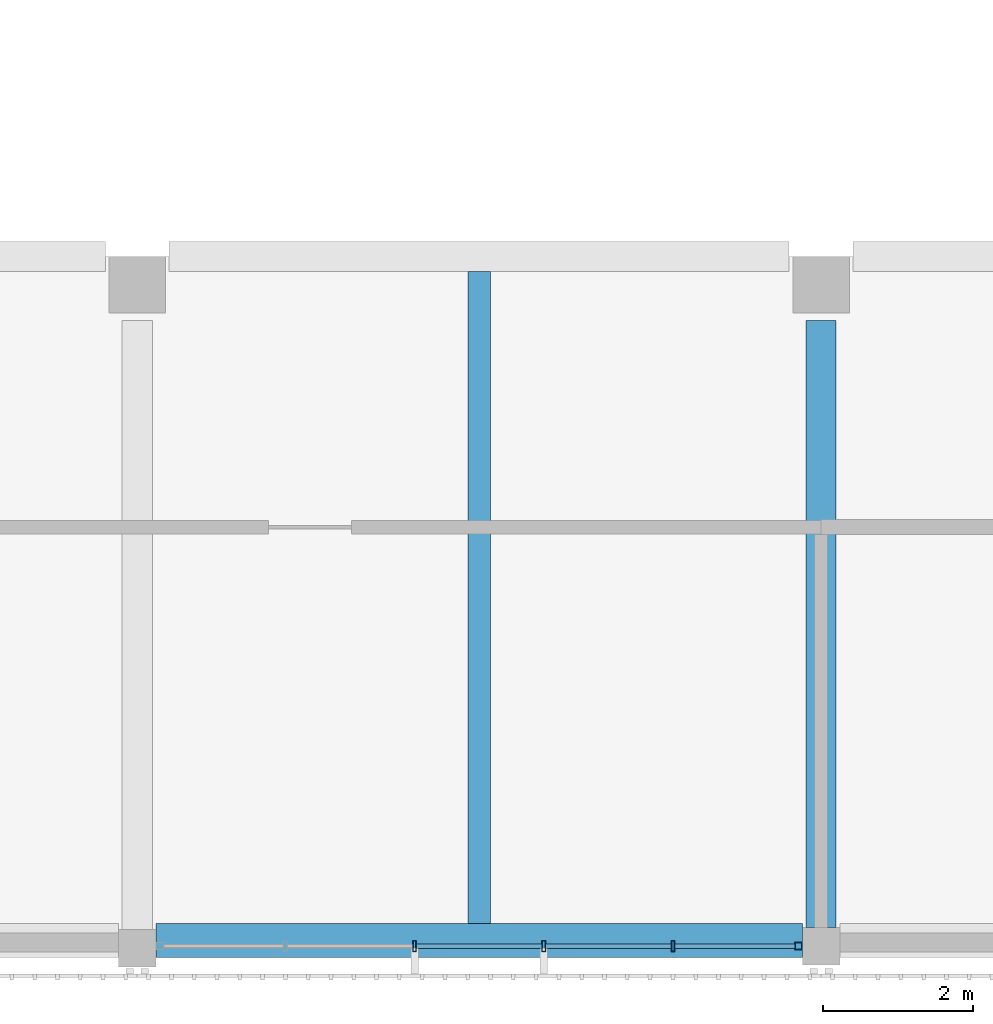
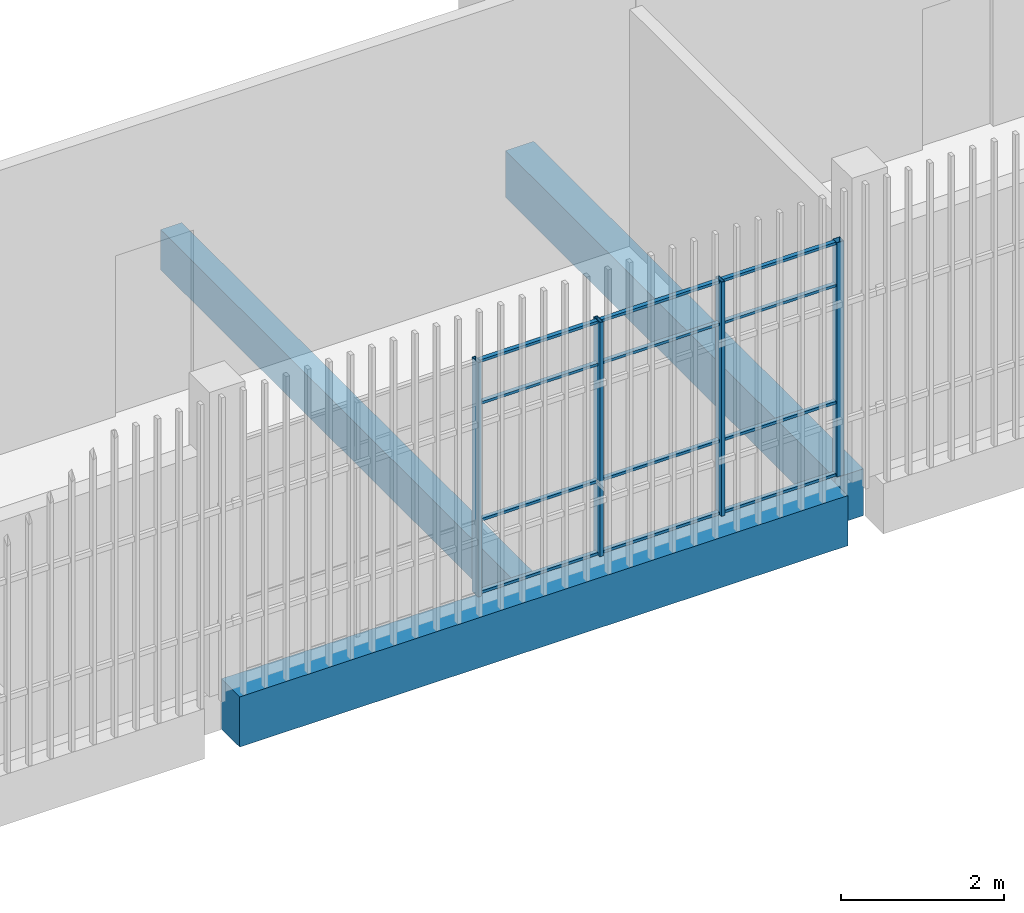
# One storey, part 12 of 124: 16 members, 3 beams, 1 element without a shape of its own.
"""IFC4 building model written with IfcOpenShell, lengths in metres."""

from ifc_helpers import new_model, si_unit, direction, frame, origin, origin_2d, place, context, subcontext, project, spatial, rectangle, hollow_rectangle, extrude, material, layer, layer_set, material_profile, profile_set, type_object, element, aggregate, save


model = new_model("IFC4")

# Units and contexts
model_context = context("Model", 3, precision=1e-05, world=origin(), true_north=direction((0.0, 1.0)))
body_context = subcontext(model_context, "Body", "Model", "MODEL_VIEW")
ifc_project = project(units=[si_unit("LENGTHUNIT", "METRE"), si_unit("AREAUNIT", "SQUARE_METRE"), si_unit("VOLUMEUNIT", "CUBIC_METRE"), si_unit("PLANEANGLEUNIT", "RADIAN"), si_unit("MASSUNIT", "GRAM", prefix="KILO")], contexts=[model_context])

# Site, building, storey
site_placement = place(None, origin())
site = spatial("IfcSite", under=ifc_project, at=site_placement, CompositionType="ELEMENT")
building_placement = place(site_placement, origin())
building = spatial("IfcBuilding", under=site, at=building_placement, Name="Shirokan Park Arena", CompositionType="ELEMENT")
storey_placement = place(building_placement, frame((0.0, 0.0, 20.02001953125)))
storey = spatial("IfcBuildingStorey", under=building, at=storey_placement, Name="L04", CompositionType="ELEMENT", Elevation=20.02001953125)

# Curtain wall, members
ifc_material_1 = material(Name="Steel and glass curtain wall", Category="steel")
ifc_layer = layer(ifc_material_1, 0.14990234375)
ifc_layer_set = layer_set([ifc_layer], Name="Steel and glass curtain wall 150 mm")
curtain_wall_type = type_object("IfcCurtainWallType", Name="Curtain wall exposed bay 150", PredefinedType="NOTDEFINED", material=ifc_layer_set)
curtain_wall_placement = place(storey_placement, origin())
curtain_wall = element("IfcCurtainWall", 1, at=curtain_wall_placement, inside=storey, type_object=curtain_wall_type, Name="Curtain wall south bay 6 L04", PredefinedType="NOTDEFINED")
ifc_material_2 = material(Name="Steel S355", Category="steel")
ifc_material_profile_1 = material_profile(ifc_material_2, hollow_rectangle(XDim=0.10009765625, YDim=0.10009765625, WallThickness=0.006103515625, at=origin_2d()), Name="RHS 100x100x6")
ifc_profile_set_1 = profile_set([ifc_material_profile_1], Name="Steel S355")
member_type_1 = type_object("IfcMemberType", Name="Mullion RHS 100x100x6", PredefinedType="MULLION", material=ifc_profile_set_1)
member_1_placement = place(storey_placement, frame((54.300048828125, -0.074951171875, 0.0), z_axis=(0.0, 0.0, 1.0), x_axis=(0.0, 1.0, 0.0)))
member_1 = element("IfcMember", 2, at=member_1_placement, type_object=member_type_1, Name="CW1 mullion 6", PredefinedType="MULLION", context=body_context, shape_type="SweptSolid", body=[
    extrude(hollow_rectangle(XDim=0.10009765625, YDim=0.10009765625, WallThickness=0.006103515625, at=origin_2d()), origin(), (0.0, 0.0, 1.0), 3.5),
])
ifc_material_profile_2 = material_profile(ifc_material_2, hollow_rectangle(XDim=0.14990234375, YDim=0.050048828125, WallThickness=0.006103515625, at=origin_2d()), Name="RHS 150x50x6")
ifc_profile_set_2 = profile_set([ifc_material_profile_2], Name="Steel S355")
member_type_2 = type_object("IfcMemberType", Name="Mullion RHS 150x50x6", PredefinedType="MULLION", material=ifc_profile_set_2)
member_2_placement = place(storey_placement, frame((49.18994140625, -0.074951171875, 0.0), z_axis=(0.0, 0.0, 1.0), x_axis=(0.0, 1.0, 0.0)))
member_2 = element("IfcMember", 3, at=member_2_placement, type_object=member_type_2, Name="CW1 mullion 3", PredefinedType="MULLION", context=body_context, shape_type="SweptSolid", body=[
    extrude(hollow_rectangle(XDim=0.14990234375, YDim=0.050048828125, WallThickness=0.006103515625, at=origin_2d()), origin(), (0.0, 0.0, 1.0), 3.5),
])
member_3_placement = place(storey_placement, frame((50.909912109375, -0.074951171875, 0.0), z_axis=(0.0, 0.0, 1.0), x_axis=(0.0, 1.0, 0.0)))
member_3 = element("IfcMember", 4, at=member_3_placement, type_object=member_type_2, Name="CW1 mullion 4", PredefinedType="MULLION", context=body_context, shape_type="SweptSolid", body=[
    extrude(hollow_rectangle(XDim=0.14990234375, YDim=0.050048828125, WallThickness=0.006103515625, at=origin_2d()), origin(), (0.0, 0.0, 1.0), 3.5),
])
member_4_placement = place(storey_placement, frame((52.6298828125, -0.074951171875, 0.0), z_axis=(0.0, 0.0, 1.0), x_axis=(0.0, 1.0, 0.0)))
member_4 = element("IfcMember", 5, at=member_4_placement, type_object=member_type_2, Name="CW1 mullion 5", PredefinedType="MULLION", context=body_context, shape_type="SweptSolid", body=[
    extrude(hollow_rectangle(XDim=0.14990234375, YDim=0.050048828125, WallThickness=0.006103515625, at=origin_2d()), origin(), (0.0, 0.0, 1.0), 3.5),
])

# Beams
ifc_material_3 = material(Name="Concrete C35", Category="concrete")
ifc_material_profile_3 = material_profile(ifc_material_3, rectangle(XDim=0.39990234375, YDim=0.699951171875, at=origin_2d()), Name="400x700")
ifc_profile_set_3 = profile_set([ifc_material_profile_3], Name="Concrete C35")
beam_type_1 = type_object("IfcBeamType", Name="RC girder 400x700", PredefinedType="BEAM", material=ifc_profile_set_3)
beam_1_placement = place(storey_placement, frame((54.60009765625, 0.175048828125, -0.60009765625), z_axis=(0.0, 1.0, 0.0), x_axis=(-1.0, 0.0, 0.0)))
element("IfcBeam", 6, at=beam_1_placement, inside=storey, type_object=beam_type_1, Name="Girder 7A-7B L04", PredefinedType="BEAM", context=body_context, shape_type="SweptSolid", body=[
    extrude(rectangle(XDim=0.39990234375, YDim=0.699951171875, at=origin_2d()), origin(), (0.0, 0.0, 1.0), 8.074951171875),
])
ifc_material_profile_4 = material_profile(ifc_material_3, rectangle(XDim=0.449951171875, YDim=0.75, at=origin_2d()), Name="450x750")
ifc_profile_set_4 = profile_set([ifc_material_profile_4], Name="Concrete C35")
beam_type_2 = type_object("IfcBeamType", Name="RC girder 450x750", PredefinedType="BEAM", material=ifc_profile_set_4)
beam_2_placement = place(storey_placement, frame((45.75, 0.0, -0.625), z_axis=(1.0, 0.0, 0.0), x_axis=(0.0, 1.0, 0.0)))
element("IfcBeam", 7, at=beam_2_placement, inside=storey, type_object=beam_type_2, Name="Girder 6A-7A L04", PredefinedType="BEAM", context=body_context, shape_type="SweptSolid", body=[
    extrude(rectangle(XDim=0.449951171875, YDim=0.75, at=origin_2d()), origin(), (0.0, 0.0, 1.0), 8.599853515625),
])
ifc_material_profile_5 = material_profile(ifc_material_3, rectangle(XDim=0.300048828125, YDim=0.60009765625, at=origin_2d()), Name="300x600")
ifc_profile_set_5 = profile_set([ifc_material_profile_5], Name="Concrete C35")
beam_type_3 = type_object("IfcBeamType", Name="RC joist 300x600", PredefinedType="JOIST", material=ifc_profile_set_5)
beam_3_placement = place(storey_placement, frame((50.050048828125, 0.22509765625, -0.550048828125), z_axis=(0.0, 1.0, 0.0), x_axis=(-1.0, 0.0, 0.0)))
element("IfcBeam", 8, at=beam_3_placement, inside=storey, type_object=beam_type_3, Name="Joist 6A L04", PredefinedType="JOIST", context=body_context, shape_type="SweptSolid", body=[
    extrude(rectangle(XDim=0.300048828125, YDim=0.60009765625, at=origin_2d()), origin(), (0.0, 0.0, 1.0), 8.6748046875),
])

# Member
ifc_material_profile_6 = material_profile(ifc_material_2, hollow_rectangle(XDim=0.06005859375, YDim=0.0400390625, WallThickness=0.00390625, at=origin_2d()), Name="RHS 60x40x4")
ifc_profile_set_6 = profile_set([ifc_material_profile_6], Name="Steel S355")
member_type_3 = type_object("IfcMemberType", Name="Transom RHS 60x40x4", PredefinedType="MULLION", material=ifc_profile_set_6)
member_5_placement = place(storey_placement, frame((49.215087890625, -0.074951171875, 0.02001953125), z_axis=(1.0, 0.0, 0.0), x_axis=(0.0, 1.0, 0.0)))
member_5 = element("IfcMember", 9, at=member_5_placement, type_object=member_type_3, Name="CW1 transom 3.1", PredefinedType="MULLION", context=body_context, shape_type="SweptSolid", body=[
    extrude(hollow_rectangle(XDim=0.06005859375, YDim=0.0400390625, WallThickness=0.00390625, at=origin_2d()), origin(), (0.0, 0.0, 1.0), 1.669921875),
])

member_6_placement = place(storey_placement, frame((49.215087890625, -0.074951171875, 1.10009765625), z_axis=(1.0, 0.0, 0.0), x_axis=(0.0, 1.0, 0.0)))
member_6 = element("IfcMember", 10, at=member_6_placement, type_object=member_type_3, Name="CW1 transom 3.2", PredefinedType="MULLION", context=body_context, shape_type="SweptSolid", body=[
    extrude(hollow_rectangle(XDim=0.06005859375, YDim=0.0400390625, WallThickness=0.00390625, at=origin_2d()), origin(), (0.0, 0.0, 1.0), 1.669921875),
])

member_7_placement = place(storey_placement, frame((49.215087890625, -0.074951171875, 2.85009765625), z_axis=(1.0, 0.0, 0.0), x_axis=(0.0, 1.0, 0.0)))
member_7 = element("IfcMember", 11, at=member_7_placement, type_object=member_type_3, Name="CW1 transom 3.3", PredefinedType="MULLION", context=body_context, shape_type="SweptSolid", body=[
    extrude(hollow_rectangle(XDim=0.06005859375, YDim=0.0400390625, WallThickness=0.00390625, at=origin_2d()), origin(), (0.0, 0.0, 1.0), 1.669921875),
])

member_8_placement = place(storey_placement, frame((49.215087890625, -0.074951171875, 3.47998046875), z_axis=(1.0, 0.0, 0.0), x_axis=(0.0, 1.0, 0.0)))
member_8 = element("IfcMember", 12, at=member_8_placement, type_object=member_type_3, Name="CW1 transom 3.4", PredefinedType="MULLION", context=body_context, shape_type="SweptSolid", body=[
    extrude(hollow_rectangle(XDim=0.06005859375, YDim=0.0400390625, WallThickness=0.00390625, at=origin_2d()), origin(), (0.0, 0.0, 1.0), 1.669921875),
])

member_9_placement = place(storey_placement, frame((50.93505859375, -0.074951171875, 0.02001953125), z_axis=(1.0, 0.0, 0.0), x_axis=(0.0, 1.0, 0.0)))
member_9 = element("IfcMember", 13, at=member_9_placement, type_object=member_type_3, Name="CW1 transom 4.1", PredefinedType="MULLION", context=body_context, shape_type="SweptSolid", body=[
    extrude(hollow_rectangle(XDim=0.06005859375, YDim=0.0400390625, WallThickness=0.00390625, at=origin_2d()), origin(), (0.0, 0.0, 1.0), 1.669921875),
])

member_10_placement = place(storey_placement, frame((50.93505859375, -0.074951171875, 1.10009765625), z_axis=(1.0, 0.0, 0.0), x_axis=(0.0, 1.0, 0.0)))
member_10 = element("IfcMember", 14, at=member_10_placement, type_object=member_type_3, Name="CW1 transom 4.2", PredefinedType="MULLION", context=body_context, shape_type="SweptSolid", body=[
    extrude(hollow_rectangle(XDim=0.06005859375, YDim=0.0400390625, WallThickness=0.00390625, at=origin_2d()), origin(), (0.0, 0.0, 1.0), 1.669921875),
])

member_11_placement = place(storey_placement, frame((50.93505859375, -0.074951171875, 2.85009765625), z_axis=(1.0, 0.0, 0.0), x_axis=(0.0, 1.0, 0.0)))
member_11 = element("IfcMember", 15, at=member_11_placement, type_object=member_type_3, Name="CW1 transom 4.3", PredefinedType="MULLION", context=body_context, shape_type="SweptSolid", body=[
    extrude(hollow_rectangle(XDim=0.06005859375, YDim=0.0400390625, WallThickness=0.00390625, at=origin_2d()), origin(), (0.0, 0.0, 1.0), 1.669921875),
])

member_12_placement = place(storey_placement, frame((50.93505859375, -0.074951171875, 3.47998046875), z_axis=(1.0, 0.0, 0.0), x_axis=(0.0, 1.0, 0.0)))
member_12 = element("IfcMember", 16, at=member_12_placement, type_object=member_type_3, Name="CW1 transom 4.4", PredefinedType="MULLION", context=body_context, shape_type="SweptSolid", body=[
    extrude(hollow_rectangle(XDim=0.06005859375, YDim=0.0400390625, WallThickness=0.00390625, at=origin_2d()), origin(), (0.0, 0.0, 1.0), 1.669921875),
])

member_13_placement = place(storey_placement, frame((52.655029296875, -0.074951171875, 0.02001953125), z_axis=(1.0, 0.0, 0.0), x_axis=(0.0, 1.0, 0.0)))
member_13 = element("IfcMember", 17, at=member_13_placement, type_object=member_type_3, Name="CW1 transom 5.1", PredefinedType="MULLION", context=body_context, shape_type="SweptSolid", body=[
    extrude(hollow_rectangle(XDim=0.06005859375, YDim=0.0400390625, WallThickness=0.00390625, at=origin_2d()), origin(), (0.0, 0.0, 1.0), 1.594970703125),
])

member_14_placement = place(storey_placement, frame((52.655029296875, -0.074951171875, 1.10009765625), z_axis=(1.0, 0.0, 0.0), x_axis=(0.0, 1.0, 0.0)))
member_14 = element("IfcMember", 18, at=member_14_placement, type_object=member_type_3, Name="CW1 transom 5.2", PredefinedType="MULLION", context=body_context, shape_type="SweptSolid", body=[
    extrude(hollow_rectangle(XDim=0.06005859375, YDim=0.0400390625, WallThickness=0.00390625, at=origin_2d()), origin(), (0.0, 0.0, 1.0), 1.594970703125),
])

member_15_placement = place(storey_placement, frame((52.655029296875, -0.074951171875, 2.85009765625), z_axis=(1.0, 0.0, 0.0), x_axis=(0.0, 1.0, 0.0)))
member_15 = element("IfcMember", 19, at=member_15_placement, type_object=member_type_3, Name="CW1 transom 5.3", PredefinedType="MULLION", context=body_context, shape_type="SweptSolid", body=[
    extrude(hollow_rectangle(XDim=0.06005859375, YDim=0.0400390625, WallThickness=0.00390625, at=origin_2d()), origin(), (0.0, 0.0, 1.0), 1.594970703125),
])

member_16_placement = place(storey_placement, frame((52.655029296875, -0.074951171875, 3.47998046875), z_axis=(1.0, 0.0, 0.0), x_axis=(0.0, 1.0, 0.0)))
member_16 = element("IfcMember", 20, at=member_16_placement, type_object=member_type_3, Name="CW1 transom 5.4", PredefinedType="MULLION", context=body_context, shape_type="SweptSolid", body=[
    extrude(hollow_rectangle(XDim=0.06005859375, YDim=0.0400390625, WallThickness=0.00390625, at=origin_2d()), origin(), (0.0, 0.0, 1.0), 1.594970703125),
])

aggregate(curtain_wall, [member_2, member_3, member_4, member_1, member_5, member_6, member_7, member_8, member_9, member_10, member_11, member_12, member_13, member_14, member_15, member_16])

save(model, "model.ifc")
